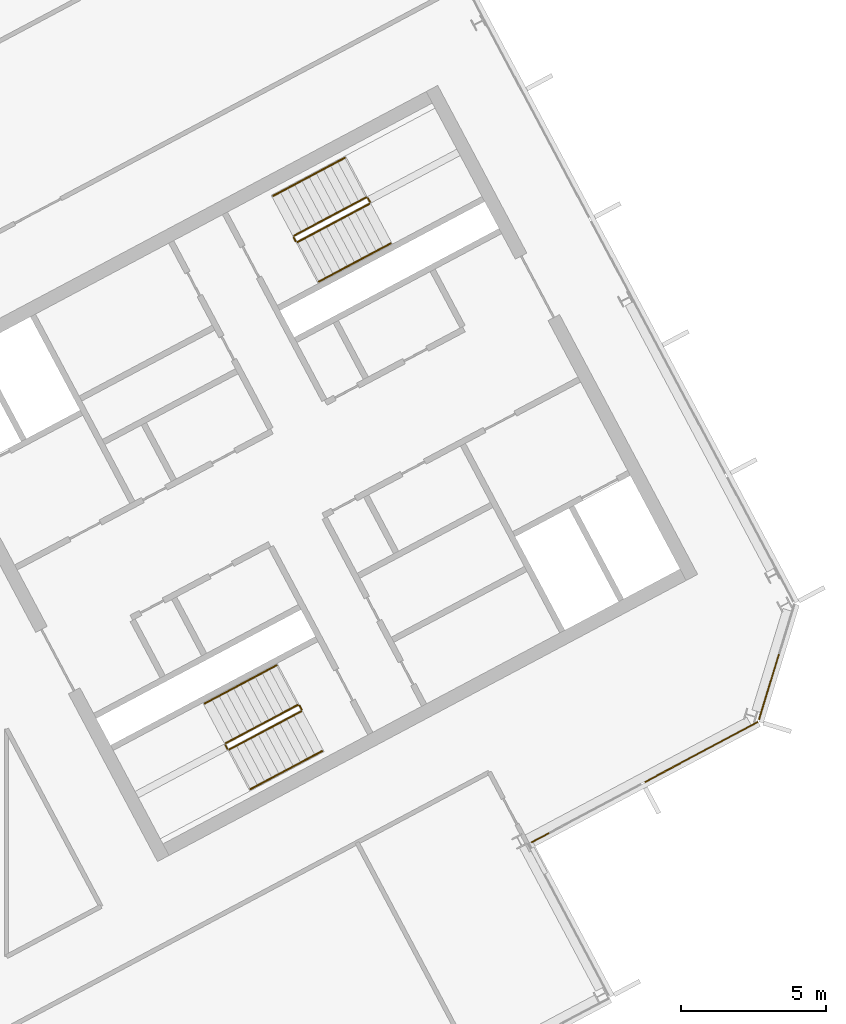
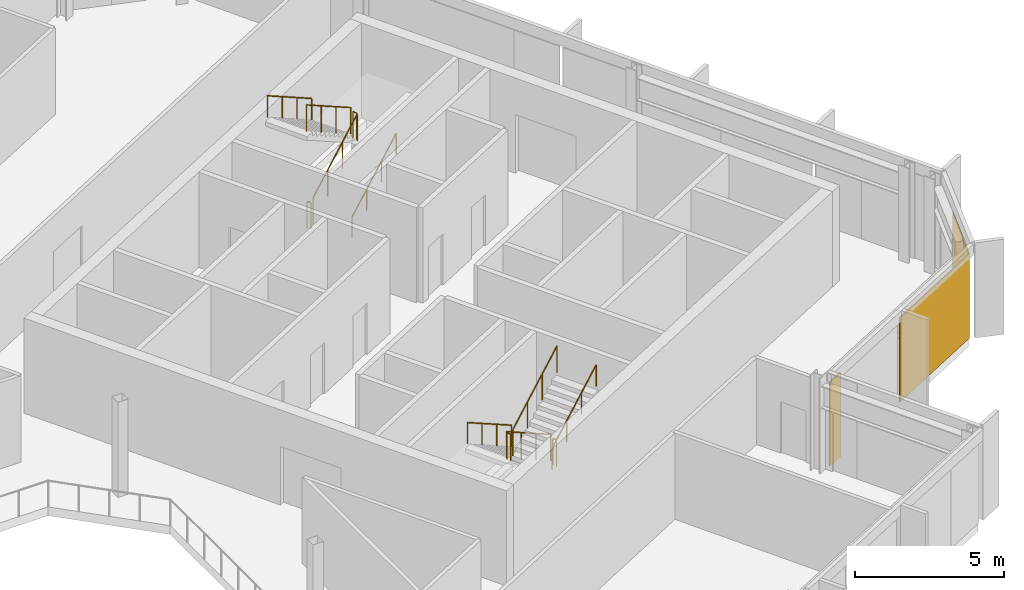
# One storey, part 25 of 26: 12 railings, 3 coverings, 2 elements without a shape of their own.
"""IFC4 building model written with IfcOpenShell, lengths in metres."""

from ifc_helpers import new_model, si_unit, direction, frame, origin, origin_2d, place, context, subcontext, project, spatial, polyline, rectangle, outline, extrude, material, layer, layer_set, type_object, element, aggregate, save


model = new_model("IFC4")

# Units and contexts
model_context = context("Model", 3, precision=1e-05, world=origin(), true_north=direction((0.0, 1.0)))
body_context = subcontext(model_context, "Body", "Model", "MODEL_VIEW")
ifc_project = project(units=[si_unit("LENGTHUNIT", "METRE"), si_unit("AREAUNIT", "SQUARE_METRE"), si_unit("VOLUMEUNIT", "CUBIC_METRE"), si_unit("PLANEANGLEUNIT", "RADIAN"), si_unit("MASSUNIT", "GRAM", prefix="KILO")], contexts=[model_context])

# Site, building, storey
site_placement = place(None, origin())
site = spatial("IfcSite", under=ifc_project, at=site_placement, CompositionType="ELEMENT")
building_placement = place(site_placement, origin())
building = spatial("IfcBuilding", under=site, at=building_placement, Name="Cormorant Relay Tower", CompositionType="ELEMENT")
storey_placement = place(building_placement, frame((0.0, 0.0, 277.5)))
storey = spatial("IfcBuildingStorey", under=building, at=storey_placement, Name="L62", CompositionType="ELEMENT", Elevation=277.5)

# Curtain wall, coverings
ifc_material_1 = material(Name="Aluminium 6063-T6 anodised bronze", Category="aluminium")
ifc_layer_1 = layer(ifc_material_1, 0.199951171875)
ifc_layer_set_1 = layer_set([ifc_layer_1], Name="CW1 unitised bronze curtain wall with vertical fins")
curtain_wall_type = type_object("IfcCurtainWallType", Name="CW1 unitised bronze curtain wall with vertical fins", PredefinedType="NOTDEFINED", material=ifc_layer_set_1)
curtain_wall_1_placement = place(storey_placement, origin())
curtain_wall_1 = element("IfcCurtainWall", 1, at=curtain_wall_1_placement, inside=storey, type_object=curtain_wall_type, Name="CW1 curtain wall 4", PredefinedType="NOTDEFINED")
ifc_material_2 = material(Name="Pale bronze anodised aluminium insulated panel", Category="aluminium")
ifc_layer_2 = layer(ifc_material_2, 0.0400390625)
ifc_layer_set_2 = layer_set([ifc_layer_2], Name="CW1 pale bronze insulated panel 40")
covering_type = type_object("IfcCoveringType", Name="CW1 pale bronze insulated panel 40", PredefinedType="CLADDING", material=ifc_layer_set_2)
covering_1_placement = place(storey_placement, frame((32.204345703125, 0.1123046875, 0.0), z_axis=(0.0, 0.0, 1.0), x_axis=(0.882947592859, 0.469471562786, 0.0)))
covering_1 = element("IfcCovering", 2, at=covering_1_placement, type_object=covering_type, Name="CW1 panel S00", PredefinedType="CLADDING", context=body_context, shape_type="SweptSolid", body=[
    extrude(rectangle(XDim=0.675048828125, YDim=0.0400390625, at=origin_2d()), origin(), (0.0, 0.0, 1.0), 3.449951171875),
])
covering_2_placement = place(storey_placement, frame((37.76708984375, 3.06982421875, 0.0), z_axis=(0.0, 0.0, 1.0), x_axis=(0.882947592859, 0.469471562786, 0.0)))
covering_2 = element("IfcCovering", 3, at=covering_2_placement, type_object=covering_type, Name="CW1 panel S02", PredefinedType="CLADDING", context=body_context, shape_type="SweptSolid", body=[
    extrude(rectangle(XDim=4.425048828125, YDim=0.0400390625, at=origin_2d()), origin(), (0.0, 0.0, 1.0), 3.449951171875),
])
aggregate(curtain_wall_1, [covering_1, covering_2])

# Curtain wall, covering
curtain_wall_2_placement = place(storey_placement, origin())
curtain_wall_2 = element("IfcCurtainWall", 4, at=curtain_wall_2_placement, inside=storey, type_object=curtain_wall_type, Name="CW1 curtain wall 5", PredefinedType="NOTDEFINED")
covering_3_placement = place(storey_placement, frame((40.098388671875, 5.32421875, 0.0), z_axis=(0.0, 0.0, 1.0), x_axis=(0.292371704723, 0.956304755963, 0.0)))
covering_3 = element("IfcCovering", 5, at=covering_3_placement, type_object=covering_type, Name="CW1 panel S00", PredefinedType="CLADDING", context=body_context, shape_type="SweptSolid", body=[
    extrude(rectangle(XDim=2.36767578125, YDim=0.0400390625, at=origin_2d()), origin(), (0.0, 0.0, 1.0), 3.449951171875),
])
aggregate(curtain_wall_2, [covering_3])

# Railings
ifc_material_3 = material(Name="Steel ASTM A572 Grade 50 (Fy 345 MPa)", Category="steel")
railing_type_1 = type_object("IfcRailingType", Name="Stair guard 1100", PredefinedType="GUARDRAIL", material=ifc_material_3)
railing_1_placement = place(storey_placement, frame((23.83837890625, 4.6904296875, 0.17724609375)))
element("IfcRailing", 6, at=railing_1_placement, inside=storey, type_object=railing_type_1, Name="L62 B1 stair guard 1", PredefinedType="GUARDRAIL", context=body_context, shape_type="SweptSolid", body=[
    extrude(outline(polyline([(0.022216796875, 0.00927734375), (0.00927734375, 0.022216796875), (-0.00927734375, 0.022216796875), (-0.022216796875, 0.00927734375), (-0.022216796875, -0.00927734375), (-0.00927734375, -0.022216796875), (0.00927734375, -0.022216796875), (0.022216796875, -0.00927734375), (0.022216796875, 0.00927734375)])), frame((0.0, 0.0, 1.076171875), z_axis=(-0.746033882577, -0.396627473466, 0.534901947407), x_axis=(0.469429322983, -0.882970050864, 0.0)), (0.0, 0.0, 1.0), 3.31396484375),
    extrude(outline(polyline([(0.019287109375, 0.008056640625), (0.008056640625, 0.019287109375), (-0.008056640625, 0.019287109375), (-0.019287109375, 0.008056640625), (-0.019287109375, -0.008056640625), (-0.008056640625, -0.019287109375), (0.008056640625, -0.019287109375), (0.019287109375, -0.008056640625), (0.019287109375, 0.008056640625)])), origin(), (0.0, 0.0, 1.0), 1.052001953125),
    extrude(outline(polyline([(0.019287109375, 0.008056640625), (0.008056640625, 0.019287109375), (-0.008056640625, 0.019287109375), (-0.019287109375, 0.008056640625), (-0.019287109375, -0.008056640625), (-0.008056640625, -0.019287109375), (0.008056640625, -0.019287109375), (0.019287109375, -0.008056640625), (0.019287109375, 0.008056640625)])), frame((-0.82421875, -0.438232421875, 0.5908203125)), (0.0, 0.0, 1.0), 1.052001953125),
    extrude(outline(polyline([(0.019287109375, 0.008056640625), (0.008056640625, 0.019287109375), (-0.008056640625, 0.019287109375), (-0.019287109375, 0.008056640625), (-0.019287109375, -0.008056640625), (-0.008056640625, -0.019287109375), (0.008056640625, -0.019287109375), (0.019287109375, -0.008056640625), (0.019287109375, 0.008056640625)])), frame((-1.648193359375, -0.876220703125, 1.181884765625)), (0.0, 0.0, 1.0), 1.052001953125),
    extrude(outline(polyline([(0.019287109375, 0.008056640625), (0.008056640625, 0.019287109375), (-0.008056640625, 0.019287109375), (-0.019287109375, 0.008056640625), (-0.019287109375, -0.008056640625), (-0.008056640625, -0.019287109375), (0.008056640625, -0.019287109375), (0.019287109375, -0.008056640625), (0.019287109375, 0.008056640625)])), frame((-2.472412109375, -1.314453125, 1.772705078125)), (0.0, 0.0, 1.0), 1.052001953125),
])
railing_2_placement = place(storey_placement, frame((21.345458984375, 3.308349609375, 1.949951171875)))
element("IfcRailing", 7, at=railing_2_placement, inside=storey, type_object=railing_type_1, Name="L62 B1 stair guard 2", PredefinedType="GUARDRAIL", context=body_context, shape_type="SweptSolid", body=[
    extrude(outline(polyline([(0.022216796875, 0.00927734375), (0.00927734375, 0.022216796875), (-0.00927734375, 0.022216796875), (-0.022216796875, 0.00927734375), (-0.022216796875, -0.00927734375), (-0.00927734375, -0.022216796875), (0.00927734375, -0.022216796875), (0.022216796875, -0.00927734375), (0.022216796875, 0.00927734375)])), frame((0.0, 0.0, 1.076171875), z_axis=(0.46856034887, -0.8834314911, 0.0), x_axis=(0.8834314911, 0.46856034887, 0.0)), (0.0, 0.0, 1.0), 0.150146484375),
    extrude(outline(polyline([(0.019287109375, 0.008056640625), (0.008056640625, 0.019287109375), (-0.008056640625, 0.019287109375), (-0.019287109375, 0.008056640625), (-0.019287109375, -0.008056640625), (-0.008056640625, -0.019287109375), (0.008056640625, -0.019287109375), (0.019287109375, -0.008056640625), (0.019287109375, 0.008056640625)])), origin(), (0.0, 0.0, 1.0), 1.052001953125),
    extrude(outline(polyline([(0.019287109375, 0.008056640625), (0.008056640625, 0.019287109375), (-0.008056640625, 0.019287109375), (-0.019287109375, 0.008056640625), (-0.019287109375, -0.008056640625), (-0.008056640625, -0.019287109375), (0.008056640625, -0.019287109375), (0.019287109375, -0.008056640625), (0.019287109375, 0.008056640625)])), frame((0.0703125, -0.132568359375, 0.0)), (0.0, 0.0, 1.0), 1.052001953125),
])
railing_3_placement = place(storey_placement, frame((21.4833984375, 3.1552734375, 2.127197265625)))
element("IfcRailing", 8, at=railing_3_placement, inside=storey, type_object=railing_type_1, Name="L62 B1 stair guard 3", PredefinedType="GUARDRAIL", context=body_context, shape_type="SweptSolid", body=[
    extrude(outline(polyline([(0.022216796875, 0.00927734375), (0.00927734375, 0.022216796875), (-0.00927734375, 0.022216796875), (-0.022216796875, 0.00927734375), (-0.022216796875, -0.00927734375), (-0.00927734375, -0.022216796875), (0.00927734375, -0.022216796875), (0.022216796875, -0.00927734375), (0.022216796875, 0.00927734375)])), frame((0.0, 0.0, 1.076171875), z_axis=(0.746001213114, 0.396649272309, 0.534931345884), x_axis=(-0.469465464807, 0.882950835185, 0.0)), (0.0, 0.0, 1.0), 3.31396484375),
    extrude(outline(polyline([(0.019287109375, 0.008056640625), (0.008056640625, 0.019287109375), (-0.008056640625, 0.019287109375), (-0.019287109375, 0.008056640625), (-0.019287109375, -0.008056640625), (-0.008056640625, -0.019287109375), (0.008056640625, -0.019287109375), (0.019287109375, -0.008056640625), (0.019287109375, 0.008056640625)])), origin(), (0.0, 0.0, 1.0), 1.052001953125),
    extrude(outline(polyline([(0.019287109375, 0.008056640625), (0.008056640625, 0.019287109375), (-0.008056640625, 0.019287109375), (-0.019287109375, 0.008056640625), (-0.019287109375, -0.008056640625), (-0.008056640625, -0.019287109375), (0.008056640625, -0.019287109375), (0.019287109375, -0.008056640625), (0.019287109375, 0.008056640625)])), frame((0.823974609375, 0.438232421875, 0.5908203125)), (0.0, 0.0, 1.0), 1.052001953125),
    extrude(outline(polyline([(0.019287109375, 0.008056640625), (0.008056640625, 0.019287109375), (-0.008056640625, 0.019287109375), (-0.019287109375, 0.008056640625), (-0.019287109375, -0.008056640625), (-0.008056640625, -0.019287109375), (0.008056640625, -0.019287109375), (0.019287109375, -0.008056640625), (0.019287109375, 0.008056640625)])), frame((1.648193359375, 0.876220703125, 1.181884765625)), (0.0, 0.0, 1.0), 1.052001953125),
    extrude(outline(polyline([(0.019287109375, 0.008056640625), (0.008056640625, 0.019287109375), (-0.008056640625, 0.019287109375), (-0.019287109375, 0.008056640625), (-0.019287109375, -0.008056640625), (-0.008056640625, -0.019287109375), (0.008056640625, -0.019287109375), (0.019287109375, -0.008056640625), (0.019287109375, 0.008056640625)])), frame((2.47216796875, 1.314453125, 1.772705078125)), (0.0, 0.0, 1.0), 1.052001953125),
])
railing_4_placement = place(storey_placement, frame((23.906005859375, 4.669677734375, 0.0)))
element("IfcRailing", 9, at=railing_4_placement, inside=storey, type_object=railing_type_1, Name="L62 B1 stair guard 4", PredefinedType="GUARDRAIL", context=body_context, shape_type="SweptSolid", body=[
    extrude(outline(polyline([(0.022216796875, 0.00927734375), (0.00927734375, 0.022216796875), (-0.00927734375, 0.022216796875), (-0.022216796875, 0.00927734375), (-0.022216796875, -0.00927734375), (-0.00927734375, -0.022216796875), (0.00927734375, -0.022216796875), (0.022216796875, -0.00927734375), (0.022216796875, 0.00927734375)])), frame((0.0, 0.0, 1.076171875), z_axis=(0.469234640946, -0.883073525669, 0.0), x_axis=(0.883073525669, 0.469234640946, 0.0)), (0.0, 0.0, 1.0), 0.14990234375),
    extrude(outline(polyline([(0.019287109375, 0.008056640625), (0.008056640625, 0.019287109375), (-0.008056640625, 0.019287109375), (-0.019287109375, 0.008056640625), (-0.019287109375, -0.008056640625), (-0.008056640625, -0.019287109375), (0.008056640625, -0.019287109375), (0.019287109375, -0.008056640625), (0.019287109375, 0.008056640625)])), origin(), (0.0, 0.0, 1.0), 1.052001953125),
    extrude(outline(polyline([(0.019287109375, 0.008056640625), (0.008056640625, 0.019287109375), (-0.008056640625, 0.019287109375), (-0.019287109375, 0.008056640625), (-0.019287109375, -0.008056640625), (-0.008056640625, -0.019287109375), (0.008056640625, -0.019287109375), (0.019287109375, -0.008056640625), (0.019287109375, 0.008056640625)])), frame((0.0703125, -0.13232421875, 0.0)), (0.0, 0.0, 1.0), 1.052001953125),
])
railing_5_placement = place(storey_placement, frame((23.8408203125, 20.6611328125, 0.17724609375)))
element("IfcRailing", 10, at=railing_5_placement, inside=storey, type_object=railing_type_1, Name="L62 B2 stair guard 1", PredefinedType="GUARDRAIL", context=body_context, shape_type="SweptSolid", body=[
    extrude(outline(polyline([(0.022216796875, 0.00927734375), (0.00927734375, 0.022216796875), (-0.00927734375, 0.022216796875), (-0.022216796875, 0.00927734375), (-0.022216796875, -0.00927734375), (-0.00927734375, -0.022216796875), (0.00927734375, -0.022216796875), (0.022216796875, -0.00927734375), (0.022216796875, 0.00927734375)])), frame((0.0, 0.0, 1.076171875), z_axis=(0.746033882577, 0.396627473466, 0.534901947407), x_axis=(-0.469429322983, 0.882970050864, 0.0)), (0.0, 0.0, 1.0), 3.31396484375),
    extrude(outline(polyline([(0.019287109375, 0.008056640625), (0.008056640625, 0.019287109375), (-0.008056640625, 0.019287109375), (-0.019287109375, 0.008056640625), (-0.019287109375, -0.008056640625), (-0.008056640625, -0.019287109375), (0.008056640625, -0.019287109375), (0.019287109375, -0.008056640625), (0.019287109375, 0.008056640625)])), origin(), (0.0, 0.0, 1.0), 1.052001953125),
    extrude(outline(polyline([(0.019287109375, 0.008056640625), (0.008056640625, 0.019287109375), (-0.008056640625, 0.019287109375), (-0.019287109375, 0.008056640625), (-0.019287109375, -0.008056640625), (-0.008056640625, -0.019287109375), (0.008056640625, -0.019287109375), (0.019287109375, -0.008056640625), (0.019287109375, 0.008056640625)])), frame((0.82421875, 0.438232421875, 0.5908203125)), (0.0, 0.0, 1.0), 1.052001953125),
    extrude(outline(polyline([(0.019287109375, 0.008056640625), (0.008056640625, 0.019287109375), (-0.008056640625, 0.019287109375), (-0.019287109375, 0.008056640625), (-0.019287109375, -0.008056640625), (-0.008056640625, -0.019287109375), (0.008056640625, -0.019287109375), (0.019287109375, -0.008056640625), (0.019287109375, 0.008056640625)])), frame((1.648193359375, 0.876220703125, 1.181884765625)), (0.0, 0.0, 1.0), 1.052001953125),
    extrude(outline(polyline([(0.019287109375, 0.008056640625), (0.008056640625, 0.019287109375), (-0.008056640625, 0.019287109375), (-0.019287109375, 0.008056640625), (-0.019287109375, -0.008056640625), (-0.008056640625, -0.019287109375), (0.008056640625, -0.019287109375), (0.019287109375, -0.008056640625), (0.019287109375, 0.008056640625)])), frame((2.472412109375, 1.314453125, 1.772705078125)), (0.0, 0.0, 1.0), 1.052001953125),
])
railing_6_placement = place(storey_placement, frame((26.333740234375, 22.043212890625, 1.949951171875)))
element("IfcRailing", 11, at=railing_6_placement, inside=storey, type_object=railing_type_1, Name="L62 B2 stair guard 2", PredefinedType="GUARDRAIL", context=body_context, shape_type="SweptSolid", body=[
    extrude(outline(polyline([(0.022216796875, 0.00927734375), (0.00927734375, 0.022216796875), (-0.00927734375, 0.022216796875), (-0.022216796875, 0.00927734375), (-0.022216796875, -0.00927734375), (-0.00927734375, -0.022216796875), (0.00927734375, -0.022216796875), (0.022216796875, -0.00927734375), (0.022216796875, 0.00927734375)])), frame((0.0, 0.0, 1.076171875), z_axis=(-0.469234640946, 0.883073525669, 0.0), x_axis=(-0.883073525669, -0.469234640946, 0.0)), (0.0, 0.0, 1.0), 0.14990234375),
    extrude(outline(polyline([(0.019287109375, 0.008056640625), (0.008056640625, 0.019287109375), (-0.008056640625, 0.019287109375), (-0.019287109375, 0.008056640625), (-0.019287109375, -0.008056640625), (-0.008056640625, -0.019287109375), (0.008056640625, -0.019287109375), (0.019287109375, -0.008056640625), (0.019287109375, 0.008056640625)])), origin(), (0.0, 0.0, 1.0), 1.052001953125),
    extrude(outline(polyline([(0.019287109375, 0.008056640625), (0.008056640625, 0.019287109375), (-0.008056640625, 0.019287109375), (-0.019287109375, 0.008056640625), (-0.019287109375, -0.008056640625), (-0.008056640625, -0.019287109375), (0.008056640625, -0.019287109375), (0.019287109375, -0.008056640625), (0.019287109375, 0.008056640625)])), frame((-0.0703125, 0.13232421875, 0.0)), (0.0, 0.0, 1.0), 1.052001953125),
])
railing_7_placement = place(storey_placement, frame((26.19580078125, 22.1962890625, 2.127197265625)))
element("IfcRailing", 12, at=railing_7_placement, inside=storey, type_object=railing_type_1, Name="L62 B2 stair guard 3", PredefinedType="GUARDRAIL", context=body_context, shape_type="SweptSolid", body=[
    extrude(outline(polyline([(0.022216796875, 0.00927734375), (0.00927734375, 0.022216796875), (-0.00927734375, 0.022216796875), (-0.022216796875, 0.00927734375), (-0.022216796875, -0.00927734375), (-0.00927734375, -0.022216796875), (0.00927734375, -0.022216796875), (0.022216796875, -0.00927734375), (0.022216796875, 0.00927734375)])), frame((0.0, 0.0, 1.076171875), z_axis=(-0.746033882577, -0.396627473466, 0.534901947407), x_axis=(0.469429322983, -0.882970050864, 0.0)), (0.0, 0.0, 1.0), 3.31396484375),
    extrude(outline(polyline([(0.019287109375, 0.008056640625), (0.008056640625, 0.019287109375), (-0.008056640625, 0.019287109375), (-0.019287109375, 0.008056640625), (-0.019287109375, -0.008056640625), (-0.008056640625, -0.019287109375), (0.008056640625, -0.019287109375), (0.019287109375, -0.008056640625), (0.019287109375, 0.008056640625)])), origin(), (0.0, 0.0, 1.0), 1.052001953125),
    extrude(outline(polyline([(0.019287109375, 0.008056640625), (0.008056640625, 0.019287109375), (-0.008056640625, 0.019287109375), (-0.019287109375, 0.008056640625), (-0.019287109375, -0.008056640625), (-0.008056640625, -0.019287109375), (0.008056640625, -0.019287109375), (0.019287109375, -0.008056640625), (0.019287109375, 0.008056640625)])), frame((-0.82421875, -0.438232421875, 0.5908203125)), (0.0, 0.0, 1.0), 1.052001953125),
    extrude(outline(polyline([(0.019287109375, 0.008056640625), (0.008056640625, 0.019287109375), (-0.008056640625, 0.019287109375), (-0.019287109375, 0.008056640625), (-0.019287109375, -0.008056640625), (-0.008056640625, -0.019287109375), (0.008056640625, -0.019287109375), (0.019287109375, -0.008056640625), (0.019287109375, 0.008056640625)])), frame((-1.648193359375, -0.876220703125, 1.181884765625)), (0.0, 0.0, 1.0), 1.052001953125),
    extrude(outline(polyline([(0.019287109375, 0.008056640625), (0.008056640625, 0.019287109375), (-0.008056640625, 0.019287109375), (-0.019287109375, 0.008056640625), (-0.019287109375, -0.008056640625), (-0.008056640625, -0.019287109375), (0.008056640625, -0.019287109375), (0.019287109375, -0.008056640625), (0.019287109375, 0.008056640625)])), frame((-2.472412109375, -1.314453125, 1.772705078125)), (0.0, 0.0, 1.0), 1.052001953125),
])
railing_8_placement = place(storey_placement, frame((23.773193359375, 20.681640625, 0.0)))
element("IfcRailing", 13, at=railing_8_placement, inside=storey, type_object=railing_type_1, Name="L62 B2 stair guard 4", PredefinedType="GUARDRAIL", context=body_context, shape_type="SweptSolid", body=[
    extrude(outline(polyline([(0.022216796875, 0.00927734375), (0.00927734375, 0.022216796875), (-0.00927734375, 0.022216796875), (-0.022216796875, 0.00927734375), (-0.022216796875, -0.00927734375), (-0.00927734375, -0.022216796875), (0.00927734375, -0.022216796875), (0.022216796875, -0.00927734375), (0.022216796875, 0.00927734375)])), frame((0.0, 0.0, 1.076171875), z_axis=(-0.46856034887, 0.8834314911, 0.0), x_axis=(-0.8834314911, -0.46856034887, 0.0)), (0.0, 0.0, 1.0), 0.150146484375),
    extrude(outline(polyline([(0.019287109375, 0.008056640625), (0.008056640625, 0.019287109375), (-0.008056640625, 0.019287109375), (-0.019287109375, 0.008056640625), (-0.019287109375, -0.008056640625), (-0.008056640625, -0.019287109375), (0.008056640625, -0.019287109375), (0.019287109375, -0.008056640625), (0.019287109375, 0.008056640625)])), origin(), (0.0, 0.0, 1.0), 1.052001953125),
    extrude(outline(polyline([(0.019287109375, 0.008056640625), (0.008056640625, 0.019287109375), (-0.008056640625, 0.019287109375), (-0.019287109375, 0.008056640625), (-0.019287109375, -0.008056640625), (-0.008056640625, -0.019287109375), (0.008056640625, -0.019287109375), (0.019287109375, -0.008056640625), (0.019287109375, 0.008056640625)])), frame((-0.0703125, 0.132568359375, 0.0)), (0.0, 0.0, 1.0), 1.052001953125),
])
ifc_material_4 = material(Name="Steel ASTM A572 Grade 50 (Fy 345 MPa)", Category="steel")
railing_type_2 = type_object("IfcRailingType", Name="Stair handrail 900", PredefinedType="HANDRAIL", material=ifc_material_4)
railing_9_placement = place(storey_placement, frame((23.110595703125, 6.05908203125, 0.17724609375)))
element("IfcRailing", 14, at=railing_9_placement, inside=storey, type_object=railing_type_2, Name="L62 B1 stair handrail 1", PredefinedType="HANDRAIL", context=body_context, shape_type="SweptSolid", body=[
    extrude(outline(polyline([(0.022216796875, 0.00927734375), (0.00927734375, 0.022216796875), (-0.00927734375, 0.022216796875), (-0.022216796875, 0.00927734375), (-0.022216796875, -0.00927734375), (-0.00927734375, -0.022216796875), (0.00927734375, -0.022216796875), (0.022216796875, -0.00927734375), (0.022216796875, 0.00927734375)])), frame((0.0, 0.0, 0.8759765625), z_axis=(-0.745979412481, -0.396711350603, 0.534915713414), x_axis=(0.469533439143, -0.882914689835, 0.0)), (0.0, 0.0, 1.0), 3.31396484375),
    extrude(outline(polyline([(0.019287109375, 0.008056640625), (0.008056640625, 0.019287109375), (-0.008056640625, 0.019287109375), (-0.019287109375, 0.008056640625), (-0.019287109375, -0.008056640625), (-0.008056640625, -0.019287109375), (0.008056640625, -0.019287109375), (0.019287109375, -0.008056640625), (0.019287109375, 0.008056640625)])), origin(), (0.0, 0.0, 1.0), 0.851806640625),
    extrude(outline(polyline([(0.019287109375, 0.008056640625), (0.008056640625, 0.019287109375), (-0.008056640625, 0.019287109375), (-0.019287109375, 0.008056640625), (-0.019287109375, -0.008056640625), (-0.008056640625, -0.019287109375), (0.008056640625, -0.019287109375), (0.019287109375, -0.008056640625), (0.019287109375, 0.008056640625)])), frame((-0.823974609375, -0.438232421875, 0.5908203125)), (0.0, 0.0, 1.0), 0.851806640625),
    extrude(outline(polyline([(0.019287109375, 0.008056640625), (0.008056640625, 0.019287109375), (-0.008056640625, 0.019287109375), (-0.019287109375, 0.008056640625), (-0.019287109375, -0.008056640625), (-0.008056640625, -0.019287109375), (0.008056640625, -0.019287109375), (0.019287109375, -0.008056640625), (0.019287109375, 0.008056640625)])), frame((-1.648193359375, -0.87646484375, 1.181884765625)), (0.0, 0.0, 1.0), 0.851806640625),
    extrude(outline(polyline([(0.019287109375, 0.008056640625), (0.008056640625, 0.019287109375), (-0.008056640625, 0.019287109375), (-0.019287109375, 0.008056640625), (-0.019287109375, -0.008056640625), (-0.008056640625, -0.019287109375), (0.008056640625, -0.019287109375), (0.019287109375, -0.008056640625), (0.019287109375, 0.008056640625)])), frame((-2.47216796875, -1.314697265625, 1.772705078125)), (0.0, 0.0, 1.0), 0.851806640625),
])
railing_10_placement = place(storey_placement, frame((22.211181640625, 1.78662109375, 2.127197265625)))
element("IfcRailing", 15, at=railing_10_placement, inside=storey, type_object=railing_type_2, Name="L62 B1 stair handrail 2", PredefinedType="HANDRAIL", context=body_context, shape_type="SweptSolid", body=[
    extrude(outline(polyline([(0.022216796875, 0.00927734375), (0.00927734375, 0.022216796875), (-0.00927734375, 0.022216796875), (-0.022216796875, 0.00927734375), (-0.022216796875, -0.00927734375), (-0.00927734375, -0.022216796875), (0.00927734375, -0.022216796875), (0.022216796875, -0.00927734375), (0.022216796875, 0.00927734375)])), frame((0.0, 0.0, 0.8759765625), z_axis=(0.746001213114, 0.396649272309, 0.534931345884), x_axis=(-0.469465464807, 0.882950835185, 0.0)), (0.0, 0.0, 1.0), 3.31396484375),
    extrude(outline(polyline([(0.019287109375, 0.008056640625), (0.008056640625, 0.019287109375), (-0.008056640625, 0.019287109375), (-0.019287109375, 0.008056640625), (-0.019287109375, -0.008056640625), (-0.008056640625, -0.019287109375), (0.008056640625, -0.019287109375), (0.019287109375, -0.008056640625), (0.019287109375, 0.008056640625)])), origin(), (0.0, 0.0, 1.0), 0.851806640625),
    extrude(outline(polyline([(0.019287109375, 0.008056640625), (0.008056640625, 0.019287109375), (-0.008056640625, 0.019287109375), (-0.019287109375, 0.008056640625), (-0.019287109375, -0.008056640625), (-0.008056640625, -0.019287109375), (0.008056640625, -0.019287109375), (0.019287109375, -0.008056640625), (0.019287109375, 0.008056640625)])), frame((0.823974609375, 0.438232421875, 0.5908203125)), (0.0, 0.0, 1.0), 0.851806640625),
    extrude(outline(polyline([(0.019287109375, 0.008056640625), (0.008056640625, 0.019287109375), (-0.008056640625, 0.019287109375), (-0.019287109375, 0.008056640625), (-0.019287109375, -0.008056640625), (-0.008056640625, -0.019287109375), (0.008056640625, -0.019287109375), (0.019287109375, -0.008056640625), (0.019287109375, 0.008056640625)])), frame((1.648193359375, 0.876220703125, 1.181884765625)), (0.0, 0.0, 1.0), 0.851806640625),
    extrude(outline(polyline([(0.019287109375, 0.008056640625), (0.008056640625, 0.019287109375), (-0.008056640625, 0.019287109375), (-0.019287109375, 0.008056640625), (-0.019287109375, -0.008056640625), (-0.008056640625, -0.019287109375), (0.008056640625, -0.019287109375), (0.019287109375, -0.008056640625), (0.019287109375, 0.008056640625)])), frame((2.47216796875, 1.314453125, 1.772705078125)), (0.0, 0.0, 1.0), 0.851806640625),
])
railing_11_placement = place(storey_placement, frame((24.568603515625, 19.29248046875, 0.17724609375)))
element("IfcRailing", 16, at=railing_11_placement, inside=storey, type_object=railing_type_2, Name="L62 B2 stair handrail 1", PredefinedType="HANDRAIL", context=body_context, shape_type="SweptSolid", body=[
    extrude(outline(polyline([(0.022216796875, 0.00927734375), (0.00927734375, 0.022216796875), (-0.00927734375, 0.022216796875), (-0.022216796875, 0.00927734375), (-0.022216796875, -0.00927734375), (-0.00927734375, -0.022216796875), (0.00927734375, -0.022216796875), (0.022216796875, -0.00927734375), (0.022216796875, 0.00927734375)])), frame((0.0, 0.0, 0.8759765625), z_axis=(0.746001213114, 0.396649272309, 0.534931345884), x_axis=(-0.469465464807, 0.882950835185, 0.0)), (0.0, 0.0, 1.0), 3.31396484375),
    extrude(outline(polyline([(0.019287109375, 0.008056640625), (0.008056640625, 0.019287109375), (-0.008056640625, 0.019287109375), (-0.019287109375, 0.008056640625), (-0.019287109375, -0.008056640625), (-0.008056640625, -0.019287109375), (0.008056640625, -0.019287109375), (0.019287109375, -0.008056640625), (0.019287109375, 0.008056640625)])), origin(), (0.0, 0.0, 1.0), 0.851806640625),
    extrude(outline(polyline([(0.019287109375, 0.008056640625), (0.008056640625, 0.019287109375), (-0.008056640625, 0.019287109375), (-0.019287109375, 0.008056640625), (-0.019287109375, -0.008056640625), (-0.008056640625, -0.019287109375), (0.008056640625, -0.019287109375), (0.019287109375, -0.008056640625), (0.019287109375, 0.008056640625)])), frame((0.823974609375, 0.438232421875, 0.5908203125)), (0.0, 0.0, 1.0), 0.851806640625),
    extrude(outline(polyline([(0.019287109375, 0.008056640625), (0.008056640625, 0.019287109375), (-0.008056640625, 0.019287109375), (-0.019287109375, 0.008056640625), (-0.019287109375, -0.008056640625), (-0.008056640625, -0.019287109375), (0.008056640625, -0.019287109375), (0.019287109375, -0.008056640625), (0.019287109375, 0.008056640625)])), frame((1.648193359375, 0.876220703125, 1.181884765625)), (0.0, 0.0, 1.0), 0.851806640625),
    extrude(outline(polyline([(0.019287109375, 0.008056640625), (0.008056640625, 0.019287109375), (-0.008056640625, 0.019287109375), (-0.019287109375, 0.008056640625), (-0.019287109375, -0.008056640625), (-0.008056640625, -0.019287109375), (0.008056640625, -0.019287109375), (0.019287109375, -0.008056640625), (0.019287109375, 0.008056640625)])), frame((2.47216796875, 1.314453125, 1.772705078125)), (0.0, 0.0, 1.0), 0.851806640625),
])
railing_12_placement = place(storey_placement, frame((25.468017578125, 23.56494140625, 2.127197265625)))
element("IfcRailing", 17, at=railing_12_placement, inside=storey, type_object=railing_type_2, Name="L62 B2 stair handrail 2", PredefinedType="HANDRAIL", context=body_context, shape_type="SweptSolid", body=[
    extrude(outline(polyline([(0.022216796875, 0.00927734375), (0.00927734375, 0.022216796875), (-0.00927734375, 0.022216796875), (-0.022216796875, 0.00927734375), (-0.022216796875, -0.00927734375), (-0.00927734375, -0.022216796875), (0.00927734375, -0.022216796875), (0.022216796875, -0.00927734375), (0.022216796875, 0.00927734375)])), frame((0.0, 0.0, 0.8759765625), z_axis=(-0.745979412481, -0.396711350603, 0.534915713414), x_axis=(0.469533439143, -0.882914689835, 0.0)), (0.0, 0.0, 1.0), 3.31396484375),
    extrude(outline(polyline([(0.019287109375, 0.008056640625), (0.008056640625, 0.019287109375), (-0.008056640625, 0.019287109375), (-0.019287109375, 0.008056640625), (-0.019287109375, -0.008056640625), (-0.008056640625, -0.019287109375), (0.008056640625, -0.019287109375), (0.019287109375, -0.008056640625), (0.019287109375, 0.008056640625)])), origin(), (0.0, 0.0, 1.0), 0.851806640625),
    extrude(outline(polyline([(0.019287109375, 0.008056640625), (0.008056640625, 0.019287109375), (-0.008056640625, 0.019287109375), (-0.019287109375, 0.008056640625), (-0.019287109375, -0.008056640625), (-0.008056640625, -0.019287109375), (0.008056640625, -0.019287109375), (0.019287109375, -0.008056640625), (0.019287109375, 0.008056640625)])), frame((-0.823974609375, -0.438232421875, 0.5908203125)), (0.0, 0.0, 1.0), 0.851806640625),
    extrude(outline(polyline([(0.019287109375, 0.008056640625), (0.008056640625, 0.019287109375), (-0.008056640625, 0.019287109375), (-0.019287109375, 0.008056640625), (-0.019287109375, -0.008056640625), (-0.008056640625, -0.019287109375), (0.008056640625, -0.019287109375), (0.019287109375, -0.008056640625), (0.019287109375, 0.008056640625)])), frame((-1.648193359375, -0.87646484375, 1.181884765625)), (0.0, 0.0, 1.0), 0.851806640625),
    extrude(outline(polyline([(0.019287109375, 0.008056640625), (0.008056640625, 0.019287109375), (-0.008056640625, 0.019287109375), (-0.019287109375, 0.008056640625), (-0.019287109375, -0.008056640625), (-0.008056640625, -0.019287109375), (0.008056640625, -0.019287109375), (0.019287109375, -0.008056640625), (0.019287109375, 0.008056640625)])), frame((-2.47216796875, -1.314697265625, 1.772705078125)), (0.0, 0.0, 1.0), 0.851806640625),
])

save(model, "model.ifc")
